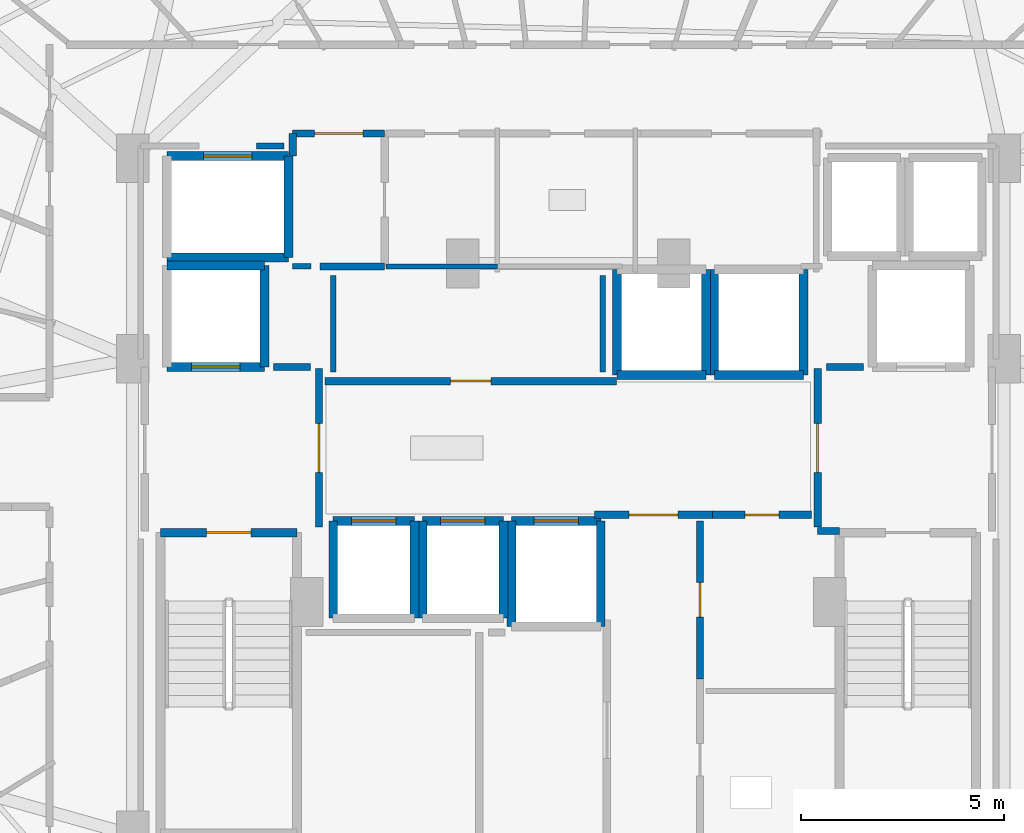
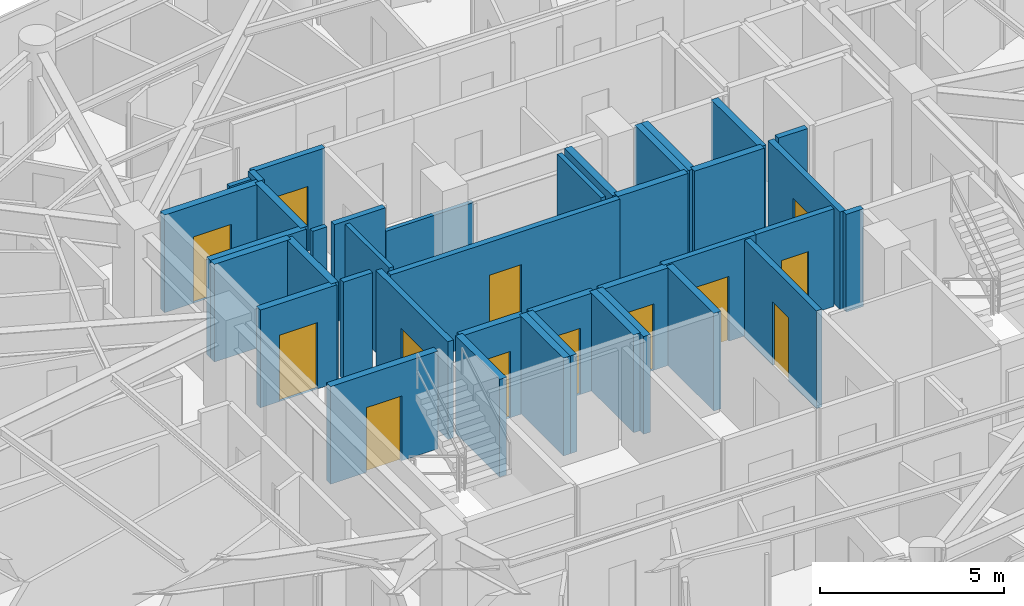
# One storey, part 22 of 28: 39 walls, 13 doors, 13 openings.
"""IFC4 building model written with IfcOpenShell, lengths in metres."""

from ifc_helpers import new_model, si_unit, direction, frame, frame_2d, origin, place, context, subcontext, project, spatial, rectangle, extrude, material, layer, layer_set, type_object, element, fill, save


model = new_model("IFC4")

# Units and contexts
model_context = context("Model", 3, precision=1e-05, world=origin(), true_north=direction((0.0, 1.0)))
body_context = subcontext(model_context, "Body", "Model", "MODEL_VIEW")
ifc_project = project(units=[si_unit("LENGTHUNIT", "METRE"), si_unit("AREAUNIT", "SQUARE_METRE"), si_unit("VOLUMEUNIT", "CUBIC_METRE"), si_unit("PLANEANGLEUNIT", "RADIAN"), si_unit("MASSUNIT", "GRAM", prefix="KILO")], contexts=[model_context])

# Site, building, storey
site_placement = place(None, origin())
site = spatial("IfcSite", under=ifc_project, at=site_placement, CompositionType="ELEMENT")
building_placement = place(site_placement, origin())
building = spatial("IfcBuilding", under=site, at=building_placement, Name="Vorneva Point Tower", CompositionType="ELEMENT")
storey_placement = place(building_placement, frame((0.0, 0.0, 139.60009765625)))
storey = spatial("IfcBuildingStorey", under=building, at=storey_placement, Name="L37", CompositionType="ELEMENT", Elevation=139.60009765625)

# Wall, opening, door
ifc_material_1 = material(Name="Concrete B60 (C50/60)", Category="concrete")
ifc_layer_1 = layer(ifc_material_1, 0.5)
ifc_layer_set_1 = layer_set([ifc_layer_1], Name="Concrete B60 (C50/60)")
wall_type_1 = type_object("IfcWallType", Name="WL-CORE-500", PredefinedType="SHEAR", material=ifc_layer_set_1)
wall_1_placement = place(storey_placement, frame((28.10009765625, 28.0, 0.0), z_axis=(0.0, 0.0, 1.0), x_axis=(1.0, 0.0, 0.0)))
wall_1 = element("IfcWall", 1, at=wall_1_placement, inside=storey, type_object=wall_type_1, Name="L37 Lift FFL1 Shaft Wall -Y", PredefinedType="SHEAR", context=body_context, shape_type="SweptSolid", body=[
    extrude(rectangle(XDim=2.39990234375, YDim=0.219970703125, at=frame_2d((1.199951171875, 0.0))), origin(), (0.0, 0.0, 1.0), 3.239990234375),
])
opening_1_placement = place(wall_1_placement, frame((0.60009765625, 0.0, 0.0)))
opening_1 = element("IfcOpeningElement", 2, at=opening_1_placement, cuts=wall_1, Name="Opening LD-02", PredefinedType="OPENING", context=body_context, shape_type="SweptSolid", body=[
    extrude(rectangle(XDim=1.199951171875, YDim=2.199951171875, at=frame_2d((0.60009765625, 1.10009765625))), frame((0.0, 0.125, 0.0), z_axis=(0.0, -1.0, 0.0), x_axis=(1.0, 0.0, 0.0)), (0.0, 0.0, 1.0), 0.249755859375),
])
ifc_material_2 = material(Name="Brushed stainless steel S304", Category="steel")
door_type_1 = type_object("IfcDoorType", Name="LD-FIRE-1200", OperationType="SLIDING_TO_LEFT", PredefinedType="DOOR", material=ifc_material_2)
door_1_placement = place(opening_1_placement, origin())
door_1 = element("IfcDoor", 3, at=door_1_placement, inside=storey, type_object=door_type_1, Name="L37 Lift FFL1 Sliding Landing Door", OperationType="SLIDING_TO_LEFT", OverallHeight=2.199951171875, OverallWidth=1.199951171875, PredefinedType="DOOR", context=body_context, shape_type="SweptSolid", body=[
    extrude(rectangle(XDim=1.199951171875, YDim=2.199951171875, at=frame_2d((0.60009765625, 1.10009765625))), frame((0.0, 0.02490234375, 0.0), z_axis=(0.0, -1.0, 0.0), x_axis=(1.0, 0.0, 0.0)), (0.0, 0.0, 1.0), 0.050048828125),
])
fill(opening_1, door_1)

# Walls
wall_2_placement = place(storey_placement, frame((30.5, 28.0, 0.0), z_axis=(0.0, 0.0, 1.0), x_axis=(0.0, 1.0, 0.0)))
element("IfcWall", 4, at=wall_2_placement, inside=storey, type_object=wall_type_1, Name="L37 Lift FFL1 Shaft Wall +X", PredefinedType="SHEAR", context=body_context, shape_type="SweptSolid", body=[
    extrude(rectangle(XDim=2.5, YDim=0.219970703125, at=frame_2d((1.25, 0.0))), origin(), (0.0, 0.0, 1.0), 3.239990234375),
])
wall_3_placement = place(storey_placement, frame((30.5, 30.5, 0.0), z_axis=(0.0, 0.0, 1.0), x_axis=(-1.0, 0.0, 0.0)))
element("IfcWall", 5, at=wall_3_placement, inside=storey, type_object=wall_type_1, Name="L37 Lift FFL1 Shaft Wall +Y", PredefinedType="SHEAR", context=body_context, shape_type="SweptSolid", body=[
    extrude(rectangle(XDim=2.39990234375, YDim=0.219970703125, at=frame_2d((1.199951171875, 0.0))), origin(), (0.0, 0.0, 1.0), 3.239990234375),
])
ifc_material_3 = material(Name="Fire-rated acoustic gypsum stud partition", Category="gypsum")
ifc_layer_2 = layer(ifc_material_3, 0.125)
ifc_layer_set_2 = layer_set([ifc_layer_2], Name="Fire-rated acoustic gypsum stud partition")
wall_type_2 = type_object("IfcWallType", Name="WL-PART-125", PredefinedType="PARTITIONING", material=ifc_layer_set_2)
wall_4_placement = place(storey_placement, frame((33.5, 30.47998046875, 0.0), z_axis=(0.0, 0.0, 1.0), x_axis=(1.0, 0.0, 0.0)))
element("IfcWall", 6, at=wall_4_placement, inside=storey, type_object=wall_type_2, Name="L37 Interior Partition 020", PredefinedType="PARTITIONING", context=body_context, shape_type="SweptSolid", body=[
    extrude(rectangle(XDim=2.75, YDim=0.125, at=frame_2d((1.375, 0.0))), origin(), (0.0, 0.0, 1.0), 2.431884765625),
])
ifc_layer_3 = layer(ifc_material_3, 0.139892578125)
ifc_layer_set_3 = layer_set([ifc_layer_3], Name="Fire-rated acoustic gypsum stud partition")
wall_type_3 = type_object("IfcWallType", Name="WL-PART-140", PredefinedType="PARTITIONING", material=ifc_layer_set_3)
wall_5_placement = place(storey_placement, frame((31.199951171875, 30.47998046875, 0.0), z_axis=(0.0, 0.0, 1.0), x_axis=(1.0, 0.0, 0.0)))
element("IfcWall", 7, at=wall_5_placement, inside=storey, type_object=wall_type_3, Name="L37 Interior Closure Partition 137", PredefinedType="PARTITIONING", context=body_context, shape_type="SweptSolid", body=[
    extrude(rectangle(XDim=0.449951171875, YDim=0.139892578125, at=frame_2d((0.22509765625, 0.0))), origin(), (0.0, 0.0, 1.0), 3.239990234375),
])
for number, where, z_axis, x_axis, name in (
    (8, (32.199951171875, 30.260009765625, 0.0), (0.0, 0.0, 1.0), (0.0, -1.0, 0.0), "L37 Interior Closure Partition 142"),
    (9, (38.85009765625, 27.8701171875, 0.0), (0.0, 0.0, 1.0), (0.0, 1.0, 0.0), "L37 Interior Closure Partition 143"),
):
    element("IfcWall", number, at=place(storey_placement, frame(where, z_axis=z_axis, x_axis=x_axis)), inside=storey, type_object=wall_type_3, Name=name, PredefinedType="PARTITIONING", context=body_context, shape_type="SweptSolid", body=[
        extrude(rectangle(XDim=2.389892578125, YDim=0.139892578125, at=frame_2d((1.19482421875, 0.0))), origin(), (0.0, 0.0, 1.0), 3.239990234375),
    ])
wall_6_placement = place(storey_placement, frame((30.97998046875, 33.449951171875, 0.0), z_axis=(0.0, 0.0, 1.0), x_axis=(-1.0, 0.0, 0.0)))
element("IfcWall", 10, at=wall_6_placement, inside=storey, type_object=wall_type_3, Name="L37 Interior Closure Partition 147", PredefinedType="PARTITIONING", context=body_context, shape_type="SweptSolid", body=[
    extrude(rectangle(XDim=0.674072265625, YDim=0.139892578125, at=frame_2d((0.3369140625, 0.0))), origin(), (0.0, 0.0, 1.0), 3.239990234375),
])

# Wall, opening, door
ifc_material_4 = material(Name="Autoclaved aerated concrete blockwork", Category="masonry")
ifc_layer_4 = layer(ifc_material_4, 0.179931640625)
ifc_layer_set_4 = layer_set([ifc_layer_4], Name="Autoclaved aerated concrete blockwork")
wall_type_4 = type_object("IfcWallType", Name="WL-PART-180", PredefinedType="PARTITIONING", material=ifc_layer_set_4)
wall_7_placement = place(storey_placement, frame((31.85009765625, 24.044921875, 0.0), z_axis=(0.0, 0.0, 1.0), x_axis=(0.0, 1.0, 0.0)))
wall_7 = element("IfcWall", 11, at=wall_7_placement, inside=storey, type_object=wall_type_4, Name="L37 Interior Partition 001", PredefinedType="PARTITIONING", context=body_context, shape_type="SweptSolid", body=[
    extrude(rectangle(XDim=3.91015625, YDim=0.179931640625, at=frame_2d((1.955078125, 0.0))), origin(), (0.0, 0.0, 1.0), 3.239990234375),
])
opening_2_placement = place(wall_7_placement, frame((1.35498046875, 0.0, 0.0)))
opening_2 = element("IfcOpeningElement", 12, at=opening_2_placement, cuts=wall_7, Name="Opening FD-02", PredefinedType="OPENING", context=body_context, shape_type="SweptSolid", body=[
    extrude(rectangle(XDim=1.199951171875, YDim=2.14990234375, at=frame_2d((0.60009765625, 1.074951171875))), frame((0.0, 0.10498046875, 0.0), z_axis=(0.0, -1.0, 0.0), x_axis=(1.0, 0.0, 0.0)), (0.0, 0.0, 1.0), 0.209716796875),
])
ifc_material_5 = material(Name="Fire-rated powder-coated steel", Category="steel")
door_type_2 = type_object("IfcDoorType", Name="DR-FFL-1200", OperationType="NOTDEFINED", PredefinedType="DOOR", material=ifc_material_5)
door_2_placement = place(opening_2_placement, origin())
door_2 = element("IfcDoor", 13, at=door_2_placement, inside=storey, type_object=door_type_2, Name="L37 Door West Firefighting Lobby / Central Lift Lobby", OperationType="SINGLE_SWING_RIGHT", OverallHeight=2.14990234375, OverallWidth=1.199951171875, PredefinedType="DOOR", context=body_context, shape_type="SweptSolid", body=[
    extrude(rectangle(XDim=1.199951171875, YDim=2.14990234375, at=frame_2d((0.60009765625, 1.074951171875))), frame((0.0, 0.02490234375, 0.0), z_axis=(0.0, -1.0, 0.0), x_axis=(1.0, 0.0, 0.0)), (0.0, 0.0, 1.0), 0.050048828125),
])
fill(opening_2, door_2)

wall_8_placement = place(storey_placement, frame((44.14990234375, 27.955078125, 0.0), z_axis=(0.0, 0.0, 1.0), x_axis=(0.0, -1.0, 0.0)))
wall_8 = element("IfcWall", 14, at=wall_8_placement, inside=storey, type_object=wall_type_4, Name="L37 Interior Partition 003", PredefinedType="PARTITIONING", context=body_context, shape_type="SweptSolid", body=[
    extrude(rectangle(XDim=3.91015625, YDim=0.179931640625, at=frame_2d((1.955078125, 0.0))), origin(), (0.0, 0.0, 1.0), 3.239990234375),
])
opening_3_placement = place(wall_8_placement, frame((1.35498046875, 0.0, 0.0)))
opening_3 = element("IfcOpeningElement", 15, at=opening_3_placement, cuts=wall_8, Name="Opening FD-02", PredefinedType="OPENING", context=body_context, shape_type="SweptSolid", body=[
    extrude(rectangle(XDim=1.199951171875, YDim=2.14990234375, at=frame_2d((0.60009765625, 1.074951171875))), frame((0.0, 0.10498046875, 0.0), z_axis=(0.0, -1.0, 0.0), x_axis=(1.0, 0.0, 0.0)), (0.0, 0.0, 1.0), 0.209716796875),
])
door_3_placement = place(opening_3_placement, origin())
door_3 = element("IfcDoor", 16, at=door_3_placement, inside=storey, type_object=door_type_2, Name="L37 Door East Firefighting Lobby / Central Lift Lobby", OperationType="SINGLE_SWING_RIGHT", OverallHeight=2.14990234375, OverallWidth=1.199951171875, PredefinedType="DOOR", context=body_context, shape_type="SweptSolid", body=[
    extrude(rectangle(XDim=1.199951171875, YDim=2.14990234375, at=frame_2d((0.60009765625, 1.074951171875))), frame((0.0, 0.02490234375, 0.0), z_axis=(0.0, -1.0, 0.0), x_axis=(1.0, 0.0, 0.0)), (0.0, 0.0, 1.0), 0.050048828125),
])
fill(opening_3, door_3)

# Walls
wall_9_placement = place(storey_placement, frame((44.14990234375, 23.949951171875, 0.0), z_axis=(0.0, 0.0, 1.0), x_axis=(1.0, 0.0, 0.0)))
element("IfcWall", 17, at=wall_9_placement, inside=storey, type_object=wall_type_4, Name="L37 Interior Partition 004", PredefinedType="PARTITIONING", context=body_context, shape_type="SweptSolid", body=[
    extrude(rectangle(XDim=0.5400390625, YDim=0.179931640625, at=frame_2d((0.27001953125, 0.0))), origin(), (0.0, 0.0, 1.0), 3.239990234375),
])
wall_10_placement = place(storey_placement, frame((31.8701171875, 30.47998046875, 0.0), z_axis=(0.0, 0.0, 1.0), x_axis=(1.0, 0.0, 0.0)))
element("IfcWall", 18, at=wall_10_placement, inside=storey, type_object=wall_type_4, Name="L37 Interior Partition 007", PredefinedType="PARTITIONING", context=body_context, shape_type="SweptSolid", body=[
    extrude(rectangle(XDim=1.599853515625, YDim=0.179931640625, at=frame_2d((0.7998046875, 0.0))), origin(), (0.0, 0.0, 1.0), 3.239990234375),
])

# Wall, opening, door
wall_11_placement = place(storey_placement, frame((33.469970703125, 33.760009765625, 0.0), z_axis=(0.0, 0.0, 1.0), x_axis=(-1.0, 0.0, 0.0)))
wall_11 = element("IfcWall", 19, at=wall_11_placement, inside=storey, type_object=wall_type_4, Name="L37 Interior Partition 008", PredefinedType="PARTITIONING", context=body_context, shape_type="SweptSolid", body=[
    extrude(rectangle(XDim=2.27001953125, YDim=0.179931640625, at=frame_2d((1.135009765625, 0.0))), origin(), (0.0, 0.0, 1.0), 3.239990234375),
])
opening_4_placement = place(wall_11_placement, frame((0.534912109375, 0.0, 0.0)))
opening_4 = element("IfcOpeningElement", 20, at=opening_4_placement, cuts=wall_11, Name="Opening FD-02", PredefinedType="OPENING", context=body_context, shape_type="SweptSolid", body=[
    extrude(rectangle(XDim=1.199951171875, YDim=2.14990234375, at=frame_2d((0.60009765625, 1.074951171875))), frame((0.0, 0.10498046875, 0.0), z_axis=(0.0, -1.0, 0.0), x_axis=(1.0, 0.0, 0.0)), (0.0, 0.0, 1.0), 0.209716796875),
])
door_4_placement = place(opening_4_placement, origin())
door_4 = element("IfcDoor", 21, at=door_4_placement, inside=storey, type_object=door_type_2, Name="L37 Door Service Lift Lobby / L37 Circulation Corridor", OperationType="SINGLE_SWING_LEFT", OverallHeight=2.14990234375, OverallWidth=1.199951171875, PredefinedType="DOOR", context=body_context, shape_type="SweptSolid", body=[
    extrude(rectangle(XDim=1.199951171875, YDim=2.14990234375, at=frame_2d((0.60009765625, 1.074951171875))), frame((0.0, 0.02490234375, 0.0), z_axis=(0.0, -1.0, 0.0), x_axis=(1.0, 0.0, 0.0)), (0.0, 0.0, 1.0), 0.050048828125),
])
fill(opening_4, door_4)

# Wall
wall_12_placement = place(storey_placement, frame((31.199951171875, 33.760009765625, 0.0), z_axis=(0.0, 0.0, 1.0), x_axis=(0.0, -1.0, 0.0)))
element("IfcWall", 22, at=wall_12_placement, inside=storey, type_object=wall_type_4, Name="L37 Interior Partition 009", PredefinedType="PARTITIONING", context=body_context, shape_type="SweptSolid", body=[
    extrude(rectangle(XDim=0.56005859375, YDim=0.179931640625, at=frame_2d((0.280029296875, 0.0))), origin(), (0.0, 0.0, 1.0), 3.239990234375),
])

# Wall, opening, door
wall_13_placement = place(storey_placement, frame((38.64501953125, 24.35009765625, 0.0), z_axis=(0.0, 0.0, 1.0), x_axis=(1.0, 0.0, 0.0)))
wall_13 = element("IfcWall", 23, at=wall_13_placement, inside=storey, type_object=wall_type_4, Name="L37 Interior Partition 010", PredefinedType="PARTITIONING", context=body_context, shape_type="SweptSolid", body=[
    extrude(rectangle(XDim=2.909912109375, YDim=0.179931640625, at=frame_2d((1.455078125, 0.0))), origin(), (0.0, 0.0, 1.0), 3.239990234375),
])
opening_5_placement = place(wall_13_placement, frame((0.85498046875, 0.0, 0.0)))
opening_5 = element("IfcOpeningElement", 24, at=opening_5_placement, cuts=wall_13, Name="Opening FD-02", PredefinedType="OPENING", context=body_context, shape_type="SweptSolid", body=[
    extrude(rectangle(XDim=1.199951171875, YDim=2.14990234375, at=frame_2d((0.60009765625, 1.074951171875))), frame((0.0, 0.10498046875, 0.0), z_axis=(0.0, -1.0, 0.0), x_axis=(1.0, 0.0, 0.0)), (0.0, 0.0, 1.0), 0.209716796875),
])
door_5_placement = place(opening_5_placement, origin())
door_5 = element("IfcDoor", 25, at=door_5_placement, inside=storey, type_object=door_type_2, Name="L37 Door Central Lift Lobby / Core Service Lobby", OperationType="SINGLE_SWING_RIGHT", OverallHeight=2.14990234375, OverallWidth=1.199951171875, PredefinedType="DOOR", context=body_context, shape_type="SweptSolid", body=[
    extrude(rectangle(XDim=1.199951171875, YDim=2.14990234375, at=frame_2d((0.60009765625, 1.074951171875))), frame((0.0, 0.02490234375, 0.0), z_axis=(0.0, -1.0, 0.0), x_axis=(1.0, 0.0, 0.0)), (0.0, 0.0, 1.0), 0.050048828125),
])
fill(opening_5, door_5)

wall_14_placement = place(storey_placement, frame((41.554931640625, 24.35009765625, 0.0), z_axis=(0.0, 0.0, 1.0), x_axis=(1.0, 0.0, 0.0)))
wall_14 = element("IfcWall", 26, at=wall_14_placement, inside=storey, type_object=wall_type_4, Name="L37 Interior Partition 011", PredefinedType="PARTITIONING", context=body_context, shape_type="SweptSolid", body=[
    extrude(rectangle(XDim=2.445068359375, YDim=0.179931640625, at=frame_2d((1.22265625, 0.0))), origin(), (0.0, 0.0, 1.0), 3.239990234375),
])
opening_6_placement = place(wall_14_placement, frame((0.797607421875, 0.0, 0.0)))
opening_6 = element("IfcOpeningElement", 27, at=opening_6_placement, cuts=wall_14, Name="Opening ID-02", PredefinedType="OPENING", context=body_context, shape_type="SweptSolid", body=[
    extrude(rectangle(XDim=0.85009765625, YDim=2.10009765625, at=frame_2d((0.425048828125, 1.050048828125))), frame((0.0, 0.10498046875, 0.0), z_axis=(0.0, -1.0, 0.0), x_axis=(1.0, 0.0, 0.0)), (0.0, 0.0, 1.0), 0.209716796875),
])
ifc_material_6 = material(Name="Engineered oak fire-rated door leaf", Category="wood")
door_type_3 = type_object("IfcDoorType", Name="DR-BATH-850", OperationType="NOTDEFINED", PredefinedType="DOOR", material=ifc_material_6)
door_6_placement = place(opening_6_placement, origin())
door_6 = element("IfcDoor", 28, at=door_6_placement, inside=storey, type_object=door_type_3, Name="L37 Door Central Lift Lobby / Valet and Parcel Room", OperationType="SINGLE_SWING_LEFT", OverallHeight=2.10009765625, OverallWidth=0.85009765625, PredefinedType="DOOR", context=body_context, shape_type="SweptSolid", body=[
    extrude(rectangle(XDim=0.85009765625, YDim=2.10009765625, at=frame_2d((0.425048828125, 1.050048828125))), frame((0.0, 0.02490234375, 0.0), z_axis=(0.0, -1.0, 0.0), x_axis=(1.0, 0.0, 0.0)), (0.0, 0.0, 1.0), 0.050048828125),
])
fill(opening_6, door_6)

wall_15_placement = place(storey_placement, frame((39.18994140625, 27.64990234375, 0.0), z_axis=(0.0, 0.0, 1.0), x_axis=(-1.0, 0.0, 0.0)))
wall_15 = element("IfcWall", 29, at=wall_15_placement, inside=storey, type_object=wall_type_4, Name="L37 Interior Partition 012", PredefinedType="PARTITIONING", context=body_context, shape_type="SweptSolid", body=[
    extrude(rectangle(XDim=7.18994140625, YDim=0.179931640625, at=frame_2d((3.594970703125, 0.0))), origin(), (0.0, 0.0, 1.0), 3.239990234375),
])
opening_7_placement = place(wall_15_placement, frame((3.094970703125, 0.0, 0.0)))
opening_7 = element("IfcOpeningElement", 30, at=opening_7_placement, cuts=wall_15, Name="Opening UD-01", PredefinedType="OPENING", context=body_context, shape_type="SweptSolid", body=[
    extrude(rectangle(XDim=1.0, YDim=2.14990234375, at=frame_2d((0.5, 1.074951171875))), frame((0.0, 0.10498046875, 0.0), z_axis=(0.0, -1.0, 0.0), x_axis=(1.0, 0.0, 0.0)), (0.0, 0.0, 1.0), 0.209716796875),
])
door_type_4 = type_object("IfcDoorType", Name="DR-UNIT-1000", OperationType="NOTDEFINED", PredefinedType="DOOR", material=ifc_material_6)
door_7_placement = place(opening_7_placement, origin())
door_7 = element("IfcDoor", 31, at=door_7_placement, inside=storey, type_object=door_type_4, Name="L37 Door Central Lift Lobby / Reclaimed Core Meeting Room", OperationType="SINGLE_SWING_RIGHT", OverallHeight=2.14990234375, OverallWidth=1.0, PredefinedType="DOOR", context=body_context, shape_type="SweptSolid", body=[
    extrude(rectangle(XDim=1.0, YDim=2.14990234375, at=frame_2d((0.5, 1.074951171875))), frame((0.0, 0.02490234375, 0.0), z_axis=(0.0, -1.0, 0.0), x_axis=(1.0, 0.0, 0.0)), (0.0, 0.0, 1.0), 0.050048828125),
])
fill(opening_7, door_7)

wall_16_placement = place(storey_placement, frame((41.25, 20.304931640625, 0.0), z_axis=(0.0, 0.0, 1.0), x_axis=(0.0, 1.0, 0.0)))
wall_16 = element("IfcWall", 32, at=wall_16_placement, inside=storey, type_object=wall_type_4, Name="L37 Interior Partition 014", PredefinedType="PARTITIONING", context=body_context, shape_type="SweptSolid", body=[
    extrude(rectangle(XDim=3.89501953125, YDim=0.179931640625, at=frame_2d((1.947509765625, 0.0))), origin(), (0.0, 0.0, 1.0), 3.239990234375),
])
opening_8_placement = place(wall_16_placement, frame((1.5224609375, 0.0, 0.0)))
opening_8 = element("IfcOpeningElement", 33, at=opening_8_placement, cuts=wall_16, Name="Opening ID-02", PredefinedType="OPENING", context=body_context, shape_type="SweptSolid", body=[
    extrude(rectangle(XDim=0.85009765625, YDim=2.10009765625, at=frame_2d((0.425048828125, 1.050048828125))), frame((0.0, 0.10498046875, 0.0), z_axis=(0.0, -1.0, 0.0), x_axis=(1.0, 0.0, 0.0)), (0.0, 0.0, 1.0), 0.209716796875),
])
door_8_placement = place(opening_8_placement, origin())
door_8 = element("IfcDoor", 34, at=door_8_placement, inside=storey, type_object=door_type_3, Name="L37 Door Core Service Lobby / Valet and Parcel Room", OperationType="SINGLE_SWING_RIGHT", OverallHeight=2.10009765625, OverallWidth=0.85009765625, PredefinedType="DOOR", context=body_context, shape_type="SweptSolid", body=[
    extrude(rectangle(XDim=0.85009765625, YDim=2.10009765625, at=frame_2d((0.425048828125, 1.050048828125))), frame((0.0, 0.02490234375, 0.0), z_axis=(0.0, -1.0, 0.0), x_axis=(1.0, 0.0, 0.0)), (0.0, 0.0, 1.0), 0.050048828125),
])
fill(opening_8, door_8)

# Walls
for number, where, z_axis, x_axis, name in (
    (35, (31.635009765625, 28.0, 0.0), (0.0, 0.0, 1.0), (-1.0, 0.0, 0.0), "L37 Interior Closure Partition 135"),
    (36, (45.280029296875, 28.0, 0.0), (0.0, 0.0, 1.0), (-1.0, 0.0, 0.0), "L37 Interior Closure Partition 136"),
):
    element("IfcWall", number, at=place(storey_placement, frame(where, z_axis=z_axis, x_axis=x_axis)), inside=storey, type_object=wall_type_4, Name=name, PredefinedType="PARTITIONING", context=body_context, shape_type="SweptSolid", body=[
        extrude(rectangle(XDim=0.9150390625, YDim=0.179931640625, at=frame_2d((0.45751953125, 0.0))), origin(), (0.0, 0.0, 1.0), 3.239990234375),
    ])

# Wall, opening, door
ifc_material_7 = material(Name="Concrete B50 (C40/50)", Category="concrete")
ifc_layer_5 = layer(ifc_material_7, 0.219970703125)
ifc_layer_set_5 = layer_set([ifc_layer_5], Name="Concrete B50 (C40/50)")
wall_type_5 = type_object("IfcWallType", Name="WL-SHFT-220", PredefinedType="SOLIDWALL", material=ifc_layer_set_5)
wall_17_placement = place(storey_placement, frame((27.93994140625, 23.909912109375, 0.0), z_axis=(0.0, 0.0, 1.0), x_axis=(1.0, 0.0, 0.0)))
wall_17 = element("IfcWall", 37, at=wall_17_placement, inside=storey, type_object=wall_type_5, Name="L37 Exit Stair ST1 Shaft Wall near", PredefinedType="SOLIDWALL", context=body_context, shape_type="SweptSolid", body=[
    extrude(rectangle(XDim=3.3701171875, YDim=0.219970703125, at=frame_2d((1.68505859375, 0.0))), origin(), (0.0, 0.0, 1.0), 3.239990234375),
])
opening_9_placement = place(wall_17_placement, frame((1.135009765625, 0.0, 0.0)))
opening_9 = element("IfcOpeningElement", 38, at=opening_9_placement, cuts=wall_17, Name="Opening FD-01", PredefinedType="OPENING", context=body_context, shape_type="SweptSolid", body=[
    extrude(rectangle(XDim=1.10009765625, YDim=2.14990234375, at=frame_2d((0.550048828125, 1.074951171875))), frame((0.0, 0.125, 0.0), z_axis=(0.0, -1.0, 0.0), x_axis=(1.0, 0.0, 0.0)), (0.0, 0.0, 1.0), 0.249755859375),
])
door_type_5 = type_object("IfcDoorType", Name="DR-STAIR-1100", OperationType="NOTDEFINED", PredefinedType="DOOR", material=ifc_material_5)
door_9_placement = place(opening_9_placement, origin())
door_9 = element("IfcDoor", 39, at=door_9_placement, inside=storey, type_object=door_type_5, Name="L37 Exit Stair ST1 Fire Door", OperationType="SINGLE_SWING_LEFT", OverallHeight=2.14990234375, OverallWidth=1.10009765625, PredefinedType="DOOR", context=body_context, shape_type="SweptSolid", body=[
    extrude(rectangle(XDim=1.10009765625, YDim=2.14990234375, at=frame_2d((0.550048828125, 1.074951171875))), frame((0.0, 0.02490234375, 0.0), z_axis=(0.0, -1.0, 0.0), x_axis=(1.0, 0.0, 0.0)), (0.0, 0.0, 1.0), 0.050048828125),
])
fill(opening_9, door_9)

# Wall
wall_18_placement = place(storey_placement, frame((34.199951171875, 21.800048828125, 0.0), z_axis=(0.0, 0.0, 1.0), x_axis=(0.0, 1.0, 0.0)))
element("IfcWall", 40, at=wall_18_placement, inside=storey, type_object=wall_type_5, Name="L37 Lift PL4 Shaft Wall +X", PredefinedType="SOLIDWALL", context=body_context, shape_type="SweptSolid", body=[
    extrude(rectangle(XDim=2.39990234375, YDim=0.219970703125, at=frame_2d((1.199951171875, 0.0))), origin(), (0.0, 0.0, 1.0), 3.239990234375),
])

# Wall, opening, door
wall_19_placement = place(storey_placement, frame((34.199951171875, 24.199951171875, 0.0), z_axis=(0.0, 0.0, 1.0), x_axis=(-1.0, 0.0, 0.0)))
wall_19 = element("IfcWall", 41, at=wall_19_placement, inside=storey, type_object=wall_type_5, Name="L37 Lift PL4 Shaft Wall +Y", PredefinedType="SOLIDWALL", context=body_context, shape_type="SweptSolid", body=[
    extrude(rectangle(XDim=2.0, YDim=0.219970703125, at=frame_2d((1.0, 0.0))), origin(), (0.0, 0.0, 1.0), 3.239990234375),
])
opening_10_placement = place(wall_19_placement, frame((0.449951171875, 0.0, 0.0)))
opening_10 = element("IfcOpeningElement", 42, at=opening_10_placement, cuts=wall_19, Name="Opening LD-01", PredefinedType="OPENING", context=body_context, shape_type="SweptSolid", body=[
    extrude(rectangle(XDim=1.10009765625, YDim=2.199951171875, at=frame_2d((0.550048828125, 1.10009765625))), frame((0.0, 0.125, 0.0), z_axis=(0.0, -1.0, 0.0), x_axis=(1.0, 0.0, 0.0)), (0.0, 0.0, 1.0), 0.249755859375),
])
door_type_6 = type_object("IfcDoorType", Name="LD-PASS-1100", OperationType="SLIDING_TO_LEFT", PredefinedType="DOOR", material=ifc_material_2)
door_10_placement = place(opening_10_placement, origin())
door_10 = element("IfcDoor", 43, at=door_10_placement, inside=storey, type_object=door_type_6, Name="L37 Lift PL4 Sliding Landing Door", OperationType="SLIDING_TO_LEFT", OverallHeight=2.199951171875, OverallWidth=1.10009765625, PredefinedType="DOOR", context=body_context, shape_type="SweptSolid", body=[
    extrude(rectangle(XDim=1.10009765625, YDim=2.199951171875, at=frame_2d((0.550048828125, 1.10009765625))), frame((0.0, 0.02490234375, 0.0), z_axis=(0.0, -1.0, 0.0), x_axis=(1.0, 0.0, 0.0)), (0.0, 0.0, 1.0), 0.050048828125),
])
fill(opening_10, door_10)

# Walls
for number, where, z_axis, x_axis, name in (
    (44, (32.199951171875, 24.199951171875, 0.0), (0.0, 0.0, 1.0), (0.0, -1.0, 0.0), "L37 Lift PL4 Shaft Wall -X"),
    (45, (36.39990234375, 21.800048828125, 0.0), (0.0, 0.0, 1.0), (0.0, 1.0, 0.0), "L37 Lift PL5 Shaft Wall +X"),
):
    element("IfcWall", number, at=place(storey_placement, frame(where, z_axis=z_axis, x_axis=x_axis)), inside=storey, type_object=wall_type_5, Name=name, PredefinedType="SOLIDWALL", context=body_context, shape_type="SweptSolid", body=[
        extrude(rectangle(XDim=2.39990234375, YDim=0.219970703125, at=frame_2d((1.199951171875, 0.0))), origin(), (0.0, 0.0, 1.0), 3.239990234375),
    ])

# Wall, opening, door
wall_20_placement = place(storey_placement, frame((36.39990234375, 24.199951171875, 0.0), z_axis=(0.0, 0.0, 1.0), x_axis=(-1.0, 0.0, 0.0)))
wall_20 = element("IfcWall", 46, at=wall_20_placement, inside=storey, type_object=wall_type_5, Name="L37 Lift PL5 Shaft Wall +Y", PredefinedType="SOLIDWALL", context=body_context, shape_type="SweptSolid", body=[
    extrude(rectangle(XDim=2.0, YDim=0.219970703125, at=frame_2d((1.0, 0.0))), origin(), (0.0, 0.0, 1.0), 3.239990234375),
])
opening_11_placement = place(wall_20_placement, frame((0.449951171875, 0.0, 0.0)))
opening_11 = element("IfcOpeningElement", 47, at=opening_11_placement, cuts=wall_20, Name="Opening LD-01", PredefinedType="OPENING", context=body_context, shape_type="SweptSolid", body=[
    extrude(rectangle(XDim=1.10009765625, YDim=2.199951171875, at=frame_2d((0.550048828125, 1.10009765625))), frame((0.0, 0.125, 0.0), z_axis=(0.0, -1.0, 0.0), x_axis=(1.0, 0.0, 0.0)), (0.0, 0.0, 1.0), 0.249755859375),
])
door_11_placement = place(opening_11_placement, origin())
door_11 = element("IfcDoor", 48, at=door_11_placement, inside=storey, type_object=door_type_6, Name="L37 Lift PL5 Sliding Landing Door", OperationType="SLIDING_TO_LEFT", OverallHeight=2.199951171875, OverallWidth=1.10009765625, PredefinedType="DOOR", context=body_context, shape_type="SweptSolid", body=[
    extrude(rectangle(XDim=1.10009765625, YDim=2.199951171875, at=frame_2d((0.550048828125, 1.10009765625))), frame((0.0, 0.02490234375, 0.0), z_axis=(0.0, -1.0, 0.0), x_axis=(1.0, 0.0, 0.0)), (0.0, 0.0, 1.0), 0.050048828125),
])
fill(opening_11, door_11)

# Walls
wall_21_placement = place(storey_placement, frame((34.39990234375, 24.199951171875, 0.0), z_axis=(0.0, 0.0, 1.0), x_axis=(0.0, -1.0, 0.0)))
element("IfcWall", 49, at=wall_21_placement, inside=storey, type_object=wall_type_5, Name="L37 Lift PL5 Shaft Wall -X", PredefinedType="SOLIDWALL", context=body_context, shape_type="SweptSolid", body=[
    extrude(rectangle(XDim=2.39990234375, YDim=0.219970703125, at=frame_2d((1.199951171875, 0.0))), origin(), (0.0, 0.0, 1.0), 3.239990234375),
])
wall_22_placement = place(storey_placement, frame((38.800048828125, 21.60009765625, 0.0), z_axis=(0.0, 0.0, 1.0), x_axis=(0.0, 1.0, 0.0)))
element("IfcWall", 50, at=wall_22_placement, inside=storey, type_object=wall_type_5, Name="L37 Lift PL6 Shaft Wall +X", PredefinedType="SOLIDWALL", context=body_context, shape_type="SweptSolid", body=[
    extrude(rectangle(XDim=2.599853515625, YDim=0.219970703125, at=frame_2d((1.2998046875, 0.0))), origin(), (0.0, 0.0, 1.0), 3.239990234375),
])

# Wall, opening, door
wall_23_placement = place(storey_placement, frame((38.800048828125, 24.199951171875, 0.0), z_axis=(0.0, 0.0, 1.0), x_axis=(-1.0, 0.0, 0.0)))
wall_23 = element("IfcWall", 51, at=wall_23_placement, inside=storey, type_object=wall_type_5, Name="L37 Lift PL6 Shaft Wall +Y", PredefinedType="SOLIDWALL", context=body_context, shape_type="SweptSolid", body=[
    extrude(rectangle(XDim=2.199951171875, YDim=0.219970703125, at=frame_2d((1.10009765625, 0.0))), origin(), (0.0, 0.0, 1.0), 3.239990234375),
])
opening_12_placement = place(wall_23_placement, frame((0.550048828125, 0.0, 0.0)))
opening_12 = element("IfcOpeningElement", 52, at=opening_12_placement, cuts=wall_23, Name="Opening LD-01", PredefinedType="OPENING", context=body_context, shape_type="SweptSolid", body=[
    extrude(rectangle(XDim=1.10009765625, YDim=2.199951171875, at=frame_2d((0.550048828125, 1.10009765625))), frame((0.0, 0.125, 0.0), z_axis=(0.0, -1.0, 0.0), x_axis=(1.0, 0.0, 0.0)), (0.0, 0.0, 1.0), 0.249755859375),
])
door_12_placement = place(opening_12_placement, origin())
door_12 = element("IfcDoor", 53, at=door_12_placement, inside=storey, type_object=door_type_6, Name="L37 Lift PL6 Sliding Landing Door", OperationType="SLIDING_TO_LEFT", OverallHeight=2.199951171875, OverallWidth=1.10009765625, PredefinedType="DOOR", context=body_context, shape_type="SweptSolid", body=[
    extrude(rectangle(XDim=1.10009765625, YDim=2.199951171875, at=frame_2d((0.550048828125, 1.10009765625))), frame((0.0, 0.02490234375, 0.0), z_axis=(0.0, -1.0, 0.0), x_axis=(1.0, 0.0, 0.0)), (0.0, 0.0, 1.0), 0.050048828125),
])
fill(opening_12, door_12)

# Walls
wall_24_placement = place(storey_placement, frame((36.60009765625, 24.199951171875, 0.0), z_axis=(0.0, 0.0, 1.0), x_axis=(0.0, -1.0, 0.0)))
element("IfcWall", 54, at=wall_24_placement, inside=storey, type_object=wall_type_5, Name="L37 Lift PL6 Shaft Wall -X", PredefinedType="SOLIDWALL", context=body_context, shape_type="SweptSolid", body=[
    extrude(rectangle(XDim=2.599853515625, YDim=0.219970703125, at=frame_2d((1.2998046875, 0.0))), origin(), (0.0, 0.0, 1.0), 3.239990234375),
])
wall_25_placement = place(storey_placement, frame((39.199951171875, 27.800048828125, 0.0), z_axis=(0.0, 0.0, 1.0), x_axis=(1.0, 0.0, 0.0)))
element("IfcWall", 55, at=wall_25_placement, inside=storey, type_object=wall_type_5, Name="L37 Lift PL7 Shaft Wall -Y", PredefinedType="SOLIDWALL", context=body_context, shape_type="SweptSolid", body=[
    extrude(rectangle(XDim=2.199951171875, YDim=0.219970703125, at=frame_2d((1.10009765625, 0.0))), origin(), (0.0, 0.0, 1.0), 3.239990234375),
])
for number, where, z_axis, x_axis, name in (
    (56, (41.39990234375, 27.800048828125, 0.0), (0.0, 0.0, 1.0), (0.0, 1.0, 0.0), "L37 Lift PL7 Shaft Wall +X"),
    (57, (39.199951171875, 30.39990234375, 0.0), (0.0, 0.0, 1.0), (0.0, -1.0, 0.0), "L37 Lift PL7 Shaft Wall -X"),
):
    element("IfcWall", number, at=place(storey_placement, frame(where, z_axis=z_axis, x_axis=x_axis)), inside=storey, type_object=wall_type_5, Name=name, PredefinedType="SOLIDWALL", context=body_context, shape_type="SweptSolid", body=[
        extrude(rectangle(XDim=2.599853515625, YDim=0.219970703125, at=frame_2d((1.2998046875, 0.0))), origin(), (0.0, 0.0, 1.0), 3.239990234375),
    ])
wall_26_placement = place(storey_placement, frame((41.60009765625, 27.800048828125, 0.0), z_axis=(0.0, 0.0, 1.0), x_axis=(1.0, 0.0, 0.0)))
element("IfcWall", 58, at=wall_26_placement, inside=storey, type_object=wall_type_5, Name="L37 Lift PL8 Shaft Wall -Y", PredefinedType="SOLIDWALL", context=body_context, shape_type="SweptSolid", body=[
    extrude(rectangle(XDim=2.199951171875, YDim=0.219970703125, at=frame_2d((1.10009765625, 0.0))), origin(), (0.0, 0.0, 1.0), 3.239990234375),
])
for number, where, z_axis, x_axis, name in (
    (59, (43.800048828125, 27.800048828125, 0.0), (0.0, 0.0, 1.0), (0.0, 1.0, 0.0), "L37 Lift PL8 Shaft Wall +X"),
    (60, (41.60009765625, 30.39990234375, 0.0), (0.0, 0.0, 1.0), (0.0, -1.0, 0.0), "L37 Lift PL8 Shaft Wall -X"),
):
    element("IfcWall", number, at=place(storey_placement, frame(where, z_axis=z_axis, x_axis=x_axis)), inside=storey, type_object=wall_type_5, Name=name, PredefinedType="SOLIDWALL", context=body_context, shape_type="SweptSolid", body=[
        extrude(rectangle(XDim=2.599853515625, YDim=0.219970703125, at=frame_2d((1.2998046875, 0.0))), origin(), (0.0, 0.0, 1.0), 3.239990234375),
    ])
wall_27_placement = place(storey_placement, frame((28.10009765625, 30.699951171875, 0.0), z_axis=(0.0, 0.0, 1.0), x_axis=(1.0, 0.0, 0.0)))
element("IfcWall", 61, at=wall_27_placement, inside=storey, type_object=wall_type_5, Name="L37 Lift SVL1 Shaft Wall -Y", PredefinedType="SOLIDWALL", context=body_context, shape_type="SweptSolid", body=[
    extrude(rectangle(XDim=3.0, YDim=0.219970703125, at=frame_2d((1.5, 0.0))), origin(), (0.0, 0.0, 1.0), 3.239990234375),
])
wall_28_placement = place(storey_placement, frame((31.10009765625, 30.699951171875, 0.0), z_axis=(0.0, 0.0, 1.0), x_axis=(0.0, 1.0, 0.0)))
element("IfcWall", 62, at=wall_28_placement, inside=storey, type_object=wall_type_5, Name="L37 Lift SVL1 Shaft Wall +X", PredefinedType="SOLIDWALL", context=body_context, shape_type="SweptSolid", body=[
    extrude(rectangle(XDim=2.5, YDim=0.219970703125, at=frame_2d((1.25, 0.0))), origin(), (0.0, 0.0, 1.0), 3.239990234375),
])

# Wall, opening, door
wall_29_placement = place(storey_placement, frame((31.10009765625, 33.199951171875, 0.0), z_axis=(0.0, 0.0, 1.0), x_axis=(-1.0, 0.0, 0.0)))
wall_29 = element("IfcWall", 63, at=wall_29_placement, inside=storey, type_object=wall_type_5, Name="L37 Lift SVL1 Shaft Wall +Y", PredefinedType="SOLIDWALL", context=body_context, shape_type="SweptSolid", body=[
    extrude(rectangle(XDim=3.0, YDim=0.219970703125, at=frame_2d((1.5, 0.0))), origin(), (0.0, 0.0, 1.0), 3.239990234375),
])
opening_13_placement = place(wall_29_placement, frame((0.89990234375, 0.0, 0.0)))
opening_13 = element("IfcOpeningElement", 64, at=opening_13_placement, cuts=wall_29, Name="Opening LD-02", PredefinedType="OPENING", context=body_context, shape_type="SweptSolid", body=[
    extrude(rectangle(XDim=1.199951171875, YDim=2.199951171875, at=frame_2d((0.60009765625, 1.10009765625))), frame((0.0, 0.125, 0.0), z_axis=(0.0, -1.0, 0.0), x_axis=(1.0, 0.0, 0.0)), (0.0, 0.0, 1.0), 0.249755859375),
])
door_13_placement = place(opening_13_placement, origin())
door_13 = element("IfcDoor", 65, at=door_13_placement, inside=storey, type_object=door_type_1, Name="L37 Lift SVL1 Sliding Landing Door", OperationType="SLIDING_TO_LEFT", OverallHeight=2.199951171875, OverallWidth=1.199951171875, PredefinedType="DOOR", context=body_context, shape_type="SweptSolid", body=[
    extrude(rectangle(XDim=1.199951171875, YDim=2.199951171875, at=frame_2d((0.60009765625, 1.10009765625))), frame((0.0, 0.02490234375, 0.0), z_axis=(0.0, -1.0, 0.0), x_axis=(1.0, 0.0, 0.0)), (0.0, 0.0, 1.0), 0.050048828125),
])
fill(opening_13, door_13)

save(model, "model.ifc")
